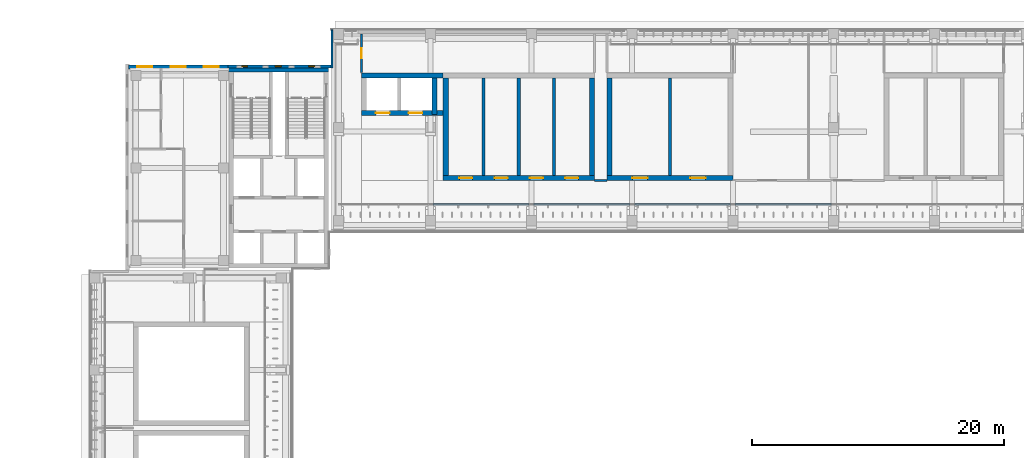
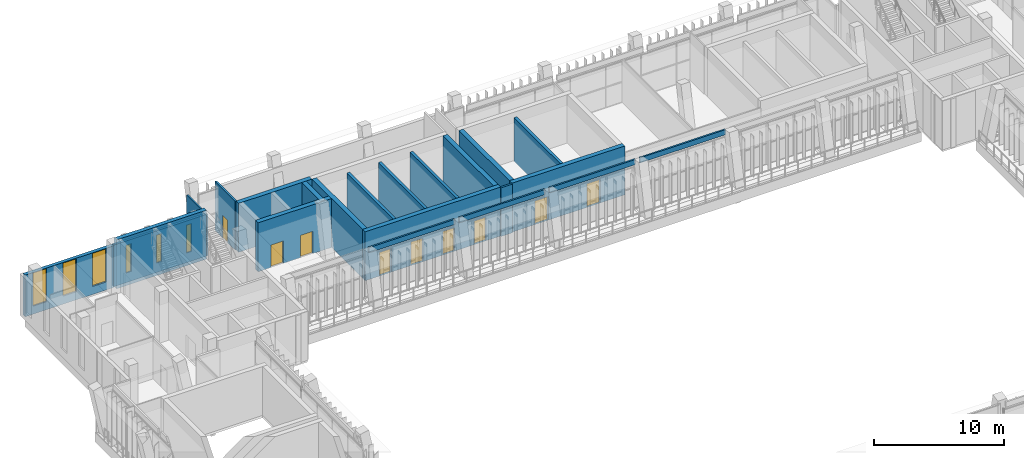
# One storey, part 64 of 89: 22 walls, 9 doors, 6 windows, 15 openings.
"""IFC4 building model written with IfcOpenShell, lengths in metres."""

from ifc_helpers import new_model, si_unit, direction, frame, frame_2d, origin, place, context, subcontext, project, spatial, rectangle, extrude, material, layer, layer_set, type_object, element, fill, save


model = new_model("IFC4")

# Units and contexts
model_context = context("Model", 3, precision=1e-05, world=origin(), true_north=direction((0.0, 1.0)))
body_context = subcontext(model_context, "Body", "Model", "MODEL_VIEW")
ifc_project = project(units=[si_unit("LENGTHUNIT", "METRE"), si_unit("AREAUNIT", "SQUARE_METRE"), si_unit("VOLUMEUNIT", "CUBIC_METRE"), si_unit("PLANEANGLEUNIT", "RADIAN"), si_unit("MASSUNIT", "GRAM", prefix="KILO")], contexts=[model_context])

# Site, building, storey
site_placement = place(None, origin())
site = spatial("IfcSite", under=ifc_project, at=site_placement, CompositionType="ELEMENT")
building_placement = place(site_placement, origin())
building = spatial("IfcBuilding", under=site, at=building_placement, Name="Lantern Court Media Centre", CompositionType="ELEMENT")
storey_placement = place(building_placement, frame((0.0, 0.0, 14.39990234375)))
storey = spatial("IfcBuildingStorey", under=building, at=storey_placement, Name="L03", CompositionType="ELEMENT", Elevation=14.39990234375)

# Walls
ifc_material_1 = material(Name="Acoustic gypsum board")
ifc_layer_1 = layer(ifc_material_1, 0.25)
ifc_layer_set_1 = layer_set([ifc_layer_1], Name="Acoustic gypsum board")
wall_type_1 = type_object("IfcWallType", Name="Acoustic partition 250", PredefinedType="PARTITIONING", material=ifc_layer_set_1)
for number, where, z_axis, x_axis, name in (
    (1, (36.199951171875, 103.455078125, 0.0), (0.0, 0.0, 1.0), (0.0, 1.0, 0.0), "L03 partition 013"),
    (2, (39.0, 103.455078125, 0.0), (0.0, 0.0, 1.0), (0.0, 1.0, 0.0), "L03 partition 014"),
    (3, (41.800048828125, 103.455078125, 0.0), (0.0, 0.0, 1.0), (0.0, 1.0, 0.0), "L03 partition 015"),
    (4, (51.0, 103.455078125, 0.0), (0.0, 0.0, 1.0), (0.0, 1.0, 0.0), "L03 partition 017"),
):
    element("IfcWall", number, at=place(storey_placement, frame(where, z_axis=z_axis, x_axis=x_axis)), inside=storey, type_object=wall_type_1, Name=name, PredefinedType="PARTITIONING", context=body_context, shape_type="SweptSolid", body=[
        extrude(rectangle(XDim=7.739990234375, YDim=0.25, at=frame_2d((3.8701171875, 0.0))), origin(), (0.0, 0.0, 1.0), 4.080078125),
    ])
ifc_material_2 = material(Name="Insulated rendered blockwork", Category="masonry")
ifc_layer_2 = layer(ifc_material_2, 0.14990234375)
ifc_layer_set_2 = layer_set([ifc_layer_2], Name="Insulated rendered blockwork")
wall_type_2 = type_object("IfcWallType", Name="Head infill wall 150", PredefinedType="SOLIDWALL", material=ifc_layer_set_2)
for number, where, z_axis, x_axis, name in (
    (5, (32.199951171875, 101.14990234375, 4.10009765625), (0.0, 0.0, 1.0), (1.0, 0.0, 0.0), "Head infill wall N inner L03"),
    (6, (40.199951171875, 101.14990234375, 4.10009765625), (0.0, 0.0, 1.0), (1.0, 0.0, 0.0), "Head infill wall N inner L03"),
    (7, (48.199951171875, 101.14990234375, 4.10009765625), (0.0, 0.0, 1.0), (1.0, 0.0, 0.0), "Head infill wall N inner L03"),
    (8, (56.199951171875, 101.14990234375, 4.10009765625), (0.0, 0.0, 1.0), (1.0, 0.0, 0.0), "Head infill wall N inner L03"),
):
    element("IfcWall", number, at=place(storey_placement, frame(where, z_axis=z_axis, x_axis=x_axis)), inside=storey, type_object=wall_type_2, Name=name, PredefinedType="SOLIDWALL", context=body_context, shape_type="SweptSolid", body=[
        extrude(rectangle(XDim=7.60009765625, YDim=0.14990234375, at=frame_2d((3.800048828125, 0.0))), origin(), (0.0, 0.0, 1.0), 0.47998046875),
    ])

# Wall, openings, windows
ifc_material_3 = material(Name="Honed limestone cladding on blockwork", Category="masonry")
ifc_layer_3 = layer(ifc_material_3, 0.300048828125)
ifc_layer_set_3 = layer_set([ifc_layer_3], Name="Honed limestone cladding on blockwork")
wall_type_3 = type_object("IfcWallType", Name="Limestone block wall 300", PredefinedType="SOLIDWALL", material=ifc_layer_set_3)
wall_1_placement = place(storey_placement, frame((8.0, 112.070068359375, 0.0), z_axis=(0.0, 0.0, 1.0), x_axis=(1.0, 0.0, 0.0)))
wall_1 = element("IfcWall", 9, at=wall_1_placement, inside=storey, type_object=wall_type_3, Name="Limestone wall NW N L03", PredefinedType="SOLIDWALL", context=body_context, shape_type="SweptSolid", body=[
    extrude(rectangle(XDim=7.89990234375, YDim=0.300048828125, at=frame_2d((3.949951171875, 0.0))), origin(), (0.0, 0.0, 1.0), 3.900146484375),
])
opening_1_placement = place(wall_1_placement, frame((0.716552734375, 0.0, 0.75)))
opening_1 = element("IfcOpeningElement", 10, at=opening_1_placement, cuts=wall_1, Name="Opening WN-T", PredefinedType="OPENING", context=body_context, shape_type="SweptSolid", body=[
    extrude(rectangle(XDim=1.199951171875, YDim=3.10009765625, at=frame_2d((0.60009765625, 1.550048828125))), frame((0.0, 0.159912109375, 0.0), z_axis=(0.0, -1.0, 0.0), x_axis=(1.0, 0.0, 0.0)), (0.0, 0.0, 1.0), 0.320068359375),
])
opening_2_placement = place(wall_1_placement, frame((3.35009765625, 0.0, 0.75)))
opening_2 = element("IfcOpeningElement", 11, at=opening_2_placement, cuts=wall_1, Name="Opening WN-T", PredefinedType="OPENING", context=body_context, shape_type="SweptSolid", body=[
    extrude(rectangle(XDim=1.199951171875, YDim=3.10009765625, at=frame_2d((0.60009765625, 1.550048828125))), frame((0.0, 0.159912109375, 0.0), z_axis=(0.0, -1.0, 0.0), x_axis=(1.0, 0.0, 0.0)), (0.0, 0.0, 1.0), 0.320068359375),
])
opening_3_placement = place(wall_1_placement, frame((5.9833984375, 0.0, 0.75)))
opening_3 = element("IfcOpeningElement", 12, at=opening_3_placement, cuts=wall_1, Name="Opening WN-T", PredefinedType="OPENING", context=body_context, shape_type="SweptSolid", body=[
    extrude(rectangle(XDim=1.199951171875, YDim=3.10009765625, at=frame_2d((0.60009765625, 1.550048828125))), frame((0.0, 0.159912109375, 0.0), z_axis=(0.0, -1.0, 0.0), x_axis=(1.0, 0.0, 0.0)), (0.0, 0.0, 1.0), 0.320068359375),
])
ifc_material_4 = material(Name="Anodised aluminium and glass", Category="aluminium")
window_type_1 = type_object("IfcWindowType", Name="Tall window 1200x3100", PartitioningType="SINGLE_PANEL", PredefinedType="WINDOW", material=ifc_material_4)
window_1_placement = place(opening_1_placement, origin())
window_1 = element("IfcWindow", 13, at=window_1_placement, inside=storey, type_object=window_type_1, Name="Window NW N L03", OverallHeight=3.10009765625, OverallWidth=1.199951171875, PartitioningType="SINGLE_PANEL", PredefinedType="WINDOW", context=body_context, shape_type="SweptSolid", body=[
    extrude(rectangle(XDim=1.199951171875, YDim=3.10009765625, at=frame_2d((0.60009765625, 1.550048828125))), frame((0.0, 0.030029296875, 0.0), z_axis=(0.0, -1.0, 0.0), x_axis=(1.0, 0.0, 0.0)), (0.0, 0.0, 1.0), 0.06005859375),
])
fill(opening_1, window_1)
window_2_placement = place(opening_2_placement, origin())
window_2 = element("IfcWindow", 14, at=window_2_placement, inside=storey, type_object=window_type_1, Name="Window NW N L03", OverallHeight=3.10009765625, OverallWidth=1.199951171875, PartitioningType="SINGLE_PANEL", PredefinedType="WINDOW", context=body_context, shape_type="SweptSolid", body=[
    extrude(rectangle(XDim=1.199951171875, YDim=3.10009765625, at=frame_2d((0.60009765625, 1.550048828125))), frame((0.0, 0.030029296875, 0.0), z_axis=(0.0, -1.0, 0.0), x_axis=(1.0, 0.0, 0.0)), (0.0, 0.0, 1.0), 0.06005859375),
])
fill(opening_2, window_2)
window_3_placement = place(opening_3_placement, origin())
window_3 = element("IfcWindow", 15, at=window_3_placement, inside=storey, type_object=window_type_1, Name="Window NW N L03", OverallHeight=3.10009765625, OverallWidth=1.199951171875, PartitioningType="SINGLE_PANEL", PredefinedType="WINDOW", context=body_context, shape_type="SweptSolid", body=[
    extrude(rectangle(XDim=1.199951171875, YDim=3.10009765625, at=frame_2d((0.60009765625, 1.550048828125))), frame((0.0, 0.030029296875, 0.0), z_axis=(0.0, -1.0, 0.0), x_axis=(1.0, 0.0, 0.0)), (0.0, 0.0, 1.0), 0.06005859375),
])
fill(opening_3, window_3)

# Wall
ifc_layer_4 = layer(ifc_material_3, 0.139892578125)
ifc_layer_set_4 = layer_set([ifc_layer_4], Name="Honed limestone cladding on blockwork")
wall_type_4 = type_object("IfcWallType", Name="Limestone closure wall 140", PredefinedType="SOLIDWALL", material=ifc_layer_set_4)
wall_2_placement = place(storey_placement, frame((24.169921875, 112.0, 0.0), z_axis=(0.0, 0.0, 1.0), x_axis=(0.0, 1.0, 0.0)))
element("IfcWall", 16, at=wall_2_placement, inside=storey, type_object=wall_type_4, Name="Limestone closure wall N-NW L03", PredefinedType="SOLIDWALL", context=body_context, shape_type="SweptSolid", body=[
    extrude(rectangle(XDim=3.0, YDim=0.139892578125, at=frame_2d((1.5, 0.0))), origin(), (0.0, 0.0, 1.0), 3.900146484375),
])

# Wall, openings, windows
ifc_material_5 = material(Name="Honed limestone cladding on blockwork, reduced to 220 where it passes the core wall", Category="masonry")
ifc_layer_5 = layer(ifc_material_5, 0.219970703125)
ifc_layer_set_5 = layer_set([ifc_layer_5], Name="Honed limestone cladding on blockwork, reduced to 220 where it passes the core wall")
wall_type_5 = type_object("IfcWallType", Name="Limestone skin wall 220", PredefinedType="SOLIDWALL", material=ifc_layer_set_5)
wall_3_placement = place(storey_placement, frame((15.89990234375, 112.110107421875, 0.0), z_axis=(0.0, 0.0, 1.0), x_axis=(1.0, 0.0, 0.0)))
wall_3 = element("IfcWall", 17, at=wall_3_placement, inside=storey, type_object=wall_type_5, Name="Limestone wall NW N L03", PredefinedType="SOLIDWALL", context=body_context, shape_type="SweptSolid", body=[
    extrude(rectangle(XDim=8.2001953125, YDim=0.219970703125, at=frame_2d((4.10009765625, 0.0))), origin(), (0.0, 0.0, 1.0), 3.900146484375),
])
opening_4_placement = place(wall_3_placement, frame((1.1083984375, 0.0, 0.89990234375)))
opening_4 = element("IfcOpeningElement", 18, at=opening_4_placement, cuts=wall_3, Name="Opening WN-S", PredefinedType="OPENING", context=body_context, shape_type="SweptSolid", body=[
    extrude(rectangle(XDim=0.449951171875, YDim=2.60009765625, at=frame_2d((0.22509765625, 1.300048828125))), frame((0.0, 0.119873046875, 0.0), z_axis=(0.0, -1.0, 0.0), x_axis=(1.0, 0.0, 0.0)), (0.0, 0.0, 1.0), 0.239990234375),
])
opening_5_placement = place(wall_3_placement, frame((3.77490234375, 0.0, 0.89990234375)))
opening_5 = element("IfcOpeningElement", 19, at=opening_5_placement, cuts=wall_3, Name="Opening WN-S", PredefinedType="OPENING", context=body_context, shape_type="SweptSolid", body=[
    extrude(rectangle(XDim=0.449951171875, YDim=2.60009765625, at=frame_2d((0.22509765625, 1.300048828125))), frame((0.0, 0.119873046875, 0.0), z_axis=(0.0, -1.0, 0.0), x_axis=(1.0, 0.0, 0.0)), (0.0, 0.0, 1.0), 0.239990234375),
])
opening_6_placement = place(wall_3_placement, frame((6.441650390625, 0.0, 0.89990234375)))
opening_6 = element("IfcOpeningElement", 20, at=opening_6_placement, cuts=wall_3, Name="Opening WN-S", PredefinedType="OPENING", context=body_context, shape_type="SweptSolid", body=[
    extrude(rectangle(XDim=0.449951171875, YDim=2.60009765625, at=frame_2d((0.22509765625, 1.300048828125))), frame((0.0, 0.119873046875, 0.0), z_axis=(0.0, -1.0, 0.0), x_axis=(1.0, 0.0, 0.0)), (0.0, 0.0, 1.0), 0.239990234375),
])
window_type_2 = type_object("IfcWindowType", Name="Stair slit window 450x2600", PartitioningType="SINGLE_PANEL", PredefinedType="WINDOW", material=ifc_material_4)
window_4_placement = place(opening_4_placement, origin())
window_4 = element("IfcWindow", 21, at=window_4_placement, inside=storey, type_object=window_type_2, Name="Window NW N L03", OverallHeight=2.60009765625, OverallWidth=0.449951171875, PartitioningType="SINGLE_PANEL", PredefinedType="WINDOW", context=body_context, shape_type="SweptSolid", body=[
    extrude(rectangle(XDim=0.449951171875, YDim=2.60009765625, at=frame_2d((0.22509765625, 1.300048828125))), frame((0.0, 0.030029296875, 0.0), z_axis=(0.0, -1.0, 0.0), x_axis=(1.0, 0.0, 0.0)), (0.0, 0.0, 1.0), 0.06005859375),
])
fill(opening_4, window_4)
window_5_placement = place(opening_5_placement, origin())
window_5 = element("IfcWindow", 22, at=window_5_placement, inside=storey, type_object=window_type_2, Name="Window NW N L03", OverallHeight=2.60009765625, OverallWidth=0.449951171875, PartitioningType="SINGLE_PANEL", PredefinedType="WINDOW", context=body_context, shape_type="SweptSolid", body=[
    extrude(rectangle(XDim=0.449951171875, YDim=2.60009765625, at=frame_2d((0.22509765625, 1.300048828125))), frame((0.0, 0.030029296875, 0.0), z_axis=(0.0, -1.0, 0.0), x_axis=(1.0, 0.0, 0.0)), (0.0, 0.0, 1.0), 0.06005859375),
])
fill(opening_5, window_5)
window_6_placement = place(opening_6_placement, origin())
window_6 = element("IfcWindow", 23, at=window_6_placement, inside=storey, type_object=window_type_2, Name="Window NW N L03", OverallHeight=2.60009765625, OverallWidth=0.449951171875, PartitioningType="SINGLE_PANEL", PredefinedType="WINDOW", context=body_context, shape_type="SweptSolid", body=[
    extrude(rectangle(XDim=0.449951171875, YDim=2.60009765625, at=frame_2d((0.22509765625, 1.300048828125))), frame((0.0, 0.030029296875, 0.0), z_axis=(0.0, -1.0, 0.0), x_axis=(1.0, 0.0, 0.0)), (0.0, 0.0, 1.0), 0.06005859375),
])
fill(opening_6, window_6)

# Wall
ifc_material_6 = material(Name="Concrete C40", Category="concrete")
ifc_layer_6 = layer(ifc_material_6, 0.35009765625)
ifc_layer_set_6 = layer_set([ifc_layer_6], Name="Concrete C40")
wall_type_6 = type_object("IfcWallType", Name="RC CORE WALL 350", PredefinedType="SHEAR", material=ifc_layer_set_6)
wall_4_placement = place(storey_placement, frame((15.949951171875, 111.824951171875, 0.0), z_axis=(0.0, 0.0, 1.0), x_axis=(1.0, 0.0, 0.0)))
element("IfcWall", 24, at=wall_4_placement, inside=storey, type_object=wall_type_6, Name="WC-NW-L03-N", PredefinedType="SHEAR", context=body_context, shape_type="SweptSolid", body=[
    extrude(rectangle(XDim=7.949951171875, YDim=0.35009765625, at=frame_2d((3.97509765625, 0.0))), origin(), (0.0, 0.0, 1.0), 4.580078125),
])

# Wall, openings, doors
ifc_layer_7 = layer(ifc_material_6, 0.39990234375)
ifc_layer_set_7 = layer_set([ifc_layer_7], Name="Concrete C40")
wall_type_7 = type_object("IfcWallType", Name="RC SHEAR WALL 400", PredefinedType="SHEAR", material=ifc_layer_set_7)
wall_5_placement = place(storey_placement, frame((26.5, 108.39990234375, 0.0), z_axis=(0.0, 0.0, 1.0), x_axis=(1.0, 0.0, 0.0)))
wall_5 = element("IfcWall", 25, at=wall_5_placement, inside=storey, type_object=wall_type_7, Name="WB-N-LC-L03-S", PredefinedType="SHEAR", context=body_context, shape_type="SweptSolid", body=[
    extrude(rectangle(XDim=6.5, YDim=0.39990234375, at=frame_2d((3.25, 0.0))), origin(), (0.0, 0.0, 1.0), 4.580078125),
])
opening_7_placement = place(wall_5_placement, frame((1.14990234375, 0.0, 0.0)))
opening_7 = element("IfcOpeningElement", 26, at=opening_7_placement, cuts=wall_5, Name="Opening LD-N-LCP-L03", PredefinedType="OPENING", context=body_context, shape_type="SweptSolid", body=[
    extrude(rectangle(XDim=1.10009765625, YDim=2.10009765625, at=frame_2d((0.550048828125, 1.050048828125))), frame((0.0, 0.2099609375, 0.0), z_axis=(0.0, -1.0, 0.0), x_axis=(1.0, 0.0, 0.0)), (0.0, 0.0, 1.0), 0.419921875),
])
opening_8_placement = place(wall_5_placement, frame((3.75, 0.0, 0.0)))
opening_8 = element("IfcOpeningElement", 27, at=opening_8_placement, cuts=wall_5, Name="Opening LD-N-LCS-L03", PredefinedType="OPENING", context=body_context, shape_type="SweptSolid", body=[
    extrude(rectangle(XDim=1.10009765625, YDim=2.10009765625, at=frame_2d((0.550048828125, 1.050048828125))), frame((0.0, 0.2099609375, 0.0), z_axis=(0.0, -1.0, 0.0), x_axis=(1.0, 0.0, 0.0)), (0.0, 0.0, 1.0), 0.419921875),
])
ifc_material_7 = material(Name="Steel door leaf", Category="steel")
door_type_1 = type_object("IfcDoorType", Name="Lift landing door 1100x2100", OperationType="DOUBLE_DOOR_SLIDING", PredefinedType="DOOR", material=ifc_material_7)
door_1_placement = place(opening_7_placement, frame((1.10009765625, 0.0, 0.0), z_axis=(0.0, 0.0, 1.0), x_axis=(-1.0, 0.0, 0.0)))
door_1 = element("IfcDoor", 28, at=door_1_placement, inside=storey, type_object=door_type_1, Name="L03 N-LC passenger lift landing door", OperationType="DOUBLE_DOOR_SLIDING", OverallHeight=2.10009765625, OverallWidth=1.10009765625, PredefinedType="DOOR", context=body_context, shape_type="SweptSolid", body=[
    extrude(rectangle(XDim=1.10009765625, YDim=2.10009765625, at=frame_2d((0.550048828125, 1.050048828125))), frame((0.0, 0.02490234375, 0.0), z_axis=(0.0, -1.0, 0.0), x_axis=(1.0, 0.0, 0.0)), (0.0, 0.0, 1.0), 0.050048828125),
])
fill(opening_7, door_1)
door_2_placement = place(opening_8_placement, frame((1.10009765625, 0.0, 0.0), z_axis=(0.0, 0.0, 1.0), x_axis=(-1.0, 0.0, 0.0)))
door_2 = element("IfcDoor", 29, at=door_2_placement, inside=storey, type_object=door_type_1, Name="L03 N-LC service lift landing door", OperationType="DOUBLE_DOOR_SLIDING", OverallHeight=2.10009765625, OverallWidth=1.10009765625, PredefinedType="DOOR", context=body_context, shape_type="SweptSolid", body=[
    extrude(rectangle(XDim=1.10009765625, YDim=2.10009765625, at=frame_2d((0.550048828125, 1.050048828125))), frame((0.0, 0.02490234375, 0.0), z_axis=(0.0, -1.0, 0.0), x_axis=(1.0, 0.0, 0.0)), (0.0, 0.0, 1.0), 0.050048828125),
])
fill(opening_8, door_2)

# Walls
wall_6_placement = place(storey_placement, frame((26.5, 111.39990234375, 0.0), z_axis=(0.0, 0.0, 1.0), x_axis=(1.0, 0.0, 0.0)))
element("IfcWall", 30, at=wall_6_placement, inside=storey, type_object=wall_type_7, Name="WB-N-LC-L03-N", PredefinedType="SHEAR", context=body_context, shape_type="SweptSolid", body=[
    extrude(rectangle(XDim=6.5, YDim=0.39990234375, at=frame_2d((3.25, 0.0))), origin(), (0.0, 0.0, 1.0), 4.580078125),
])
wall_7_placement = place(storey_placement, frame((32.300048828125, 108.291748046875, 0.0), z_axis=(0.0, 0.0, 1.0), x_axis=(0.0, 1.0, 0.0)))
element("IfcWall", 31, at=wall_7_placement, inside=storey, type_object=wall_type_7, Name="WB-N-LC-L03-E", PredefinedType="SHEAR", context=body_context, shape_type="SweptSolid", body=[
    extrude(rectangle(XDim=2.908203125, YDim=0.39990234375, at=frame_2d((1.4541015625, 0.0))), origin(), (0.0, 0.0, 1.0), 4.580078125),
])

# Wall, openings, doors
wall_8_placement = place(storey_placement, frame((33.0, 103.25, 0.0), z_axis=(0.0, 0.0, 1.0), x_axis=(1.0, 0.0, 0.0)))
wall_8 = element("IfcWall", 32, at=wall_8_placement, inside=storey, type_object=wall_type_7, Name="WB-N-EDA-L03-S", PredefinedType="SHEAR", context=body_context, shape_type="SweptSolid", body=[
    extrude(rectangle(XDim=12.0, YDim=0.39990234375, at=frame_2d((6.0, 0.0))), origin(), (0.0, 0.0, 1.0), 4.580078125),
])
opening_9_placement = place(wall_8_placement, frame((1.272705078125, 0.0, 0.0)))
opening_9 = element("IfcOpeningElement", 33, at=opening_9_placement, cuts=wall_8, Name="Opening L03-008", PredefinedType="OPENING", context=body_context, shape_type="SweptSolid", body=[
    extrude(rectangle(XDim=1.050048828125, YDim=2.199951171875, at=frame_2d((0.52490234375, 1.10009765625))), frame((0.0, 0.2099609375, 0.0), z_axis=(0.0, -1.0, 0.0), x_axis=(1.0, 0.0, 0.0)), (0.0, 0.0, 1.0), 0.419921875),
])
opening_10_placement = place(wall_8_placement, frame((4.07275390625, 0.0, 0.0)))
opening_10 = element("IfcOpeningElement", 34, at=opening_10_placement, cuts=wall_8, Name="Opening L03-009", PredefinedType="OPENING", context=body_context, shape_type="SweptSolid", body=[
    extrude(rectangle(XDim=1.050048828125, YDim=2.199951171875, at=frame_2d((0.52490234375, 1.10009765625))), frame((0.0, 0.2099609375, 0.0), z_axis=(0.0, -1.0, 0.0), x_axis=(1.0, 0.0, 0.0)), (0.0, 0.0, 1.0), 0.419921875),
])
opening_11_placement = place(wall_8_placement, frame((6.872802734375, 0.0, 0.0)))
opening_11 = element("IfcOpeningElement", 35, at=opening_11_placement, cuts=wall_8, Name="Opening L03-010", PredefinedType="OPENING", context=body_context, shape_type="SweptSolid", body=[
    extrude(rectangle(XDim=1.050048828125, YDim=2.199951171875, at=frame_2d((0.52490234375, 1.10009765625))), frame((0.0, 0.2099609375, 0.0), z_axis=(0.0, -1.0, 0.0), x_axis=(1.0, 0.0, 0.0)), (0.0, 0.0, 1.0), 0.419921875),
])
opening_12_placement = place(wall_8_placement, frame((9.672607421875, 0.0, 0.0)))
opening_12 = element("IfcOpeningElement", 36, at=opening_12_placement, cuts=wall_8, Name="Opening L03-011", PredefinedType="OPENING", context=body_context, shape_type="SweptSolid", body=[
    extrude(rectangle(XDim=1.050048828125, YDim=2.199951171875, at=frame_2d((0.52490234375, 1.10009765625))), frame((0.0, 0.2099609375, 0.0), z_axis=(0.0, -1.0, 0.0), x_axis=(1.0, 0.0, 0.0)), (0.0, 0.0, 1.0), 0.419921875),
])
ifc_material_8 = material(Name="Acoustic timber door leaf", Category="wood")
door_type_2 = type_object("IfcDoorType", Name="Edit suite sound-lock door 1050x2200", OperationType="NOTDEFINED", PredefinedType="DOOR", material=ifc_material_8)
door_3_placement = place(opening_9_placement, origin())
door_3 = element("IfcDoor", 37, at=door_3_placement, inside=storey, type_object=door_type_2, Name="L03 Editing Suite 15 door", OperationType="SINGLE_SWING_LEFT", OverallHeight=2.199951171875, OverallWidth=1.050048828125, PredefinedType="DOOR", context=body_context, shape_type="SweptSolid", body=[
    extrude(rectangle(XDim=1.050048828125, YDim=2.199951171875, at=frame_2d((0.52490234375, 1.10009765625))), frame((0.0, 0.02490234375, 0.0), z_axis=(0.0, -1.0, 0.0), x_axis=(1.0, 0.0, 0.0)), (0.0, 0.0, 1.0), 0.050048828125),
])
fill(opening_9, door_3)
door_4_placement = place(opening_10_placement, origin())
door_4 = element("IfcDoor", 38, at=door_4_placement, inside=storey, type_object=door_type_2, Name="L03 Editing Suite 16 door", OperationType="SINGLE_SWING_RIGHT", OverallHeight=2.199951171875, OverallWidth=1.050048828125, PredefinedType="DOOR", context=body_context, shape_type="SweptSolid", body=[
    extrude(rectangle(XDim=1.050048828125, YDim=2.199951171875, at=frame_2d((0.52490234375, 1.10009765625))), frame((0.0, 0.02490234375, 0.0), z_axis=(0.0, -1.0, 0.0), x_axis=(1.0, 0.0, 0.0)), (0.0, 0.0, 1.0), 0.050048828125),
])
fill(opening_10, door_4)
door_5_placement = place(opening_11_placement, origin())
door_5 = element("IfcDoor", 39, at=door_5_placement, inside=storey, type_object=door_type_2, Name="L03 Editing Suite 17 door", OperationType="SINGLE_SWING_LEFT", OverallHeight=2.199951171875, OverallWidth=1.050048828125, PredefinedType="DOOR", context=body_context, shape_type="SweptSolid", body=[
    extrude(rectangle(XDim=1.050048828125, YDim=2.199951171875, at=frame_2d((0.52490234375, 1.10009765625))), frame((0.0, 0.02490234375, 0.0), z_axis=(0.0, -1.0, 0.0), x_axis=(1.0, 0.0, 0.0)), (0.0, 0.0, 1.0), 0.050048828125),
])
fill(opening_11, door_5)
door_6_placement = place(opening_12_placement, origin())
door_6 = element("IfcDoor", 40, at=door_6_placement, inside=storey, type_object=door_type_2, Name="L03 Editing Suite 18 door", OperationType="SINGLE_SWING_RIGHT", OverallHeight=2.199951171875, OverallWidth=1.050048828125, PredefinedType="DOOR", context=body_context, shape_type="SweptSolid", body=[
    extrude(rectangle(XDim=1.050048828125, YDim=2.199951171875, at=frame_2d((0.52490234375, 1.10009765625))), frame((0.0, 0.02490234375, 0.0), z_axis=(0.0, -1.0, 0.0), x_axis=(1.0, 0.0, 0.0)), (0.0, 0.0, 1.0), 0.050048828125),
])
fill(opening_12, door_6)

# Walls
for number, where, z_axis, x_axis, name in (
    (41, (33.199951171875, 103.449951171875, 0.0), (0.0, 0.0, 1.0), (0.0, 1.0, 0.0), "WB-N-EDA-L03-W"),
    (42, (44.800048828125, 103.449951171875, 0.0), (0.0, 0.0, 1.0), (0.0, 1.0, 0.0), "WB-N-EDA-L03-E"),
):
    element("IfcWall", number, at=place(storey_placement, frame(where, z_axis=z_axis, x_axis=x_axis)), inside=storey, type_object=wall_type_7, Name=name, PredefinedType="SHEAR", context=body_context, shape_type="SweptSolid", body=[
        extrude(rectangle(XDim=7.75, YDim=0.39990234375, at=frame_2d((3.875, 0.0))), origin(), (0.0, 0.0, 1.0), 4.580078125),
    ])

# Wall, openings, doors
wall_9_placement = place(storey_placement, frame((46.0, 103.25, 0.0), z_axis=(0.0, 0.0, 1.0), x_axis=(1.0, 0.0, 0.0)))
wall_9 = element("IfcWall", 43, at=wall_9_placement, inside=storey, type_object=wall_type_7, Name="WB-N-MIX-L03-S", PredefinedType="SHEAR", context=body_context, shape_type="SweptSolid", body=[
    extrude(rectangle(XDim=10.0, YDim=0.39990234375, at=frame_2d((5.0, 0.0))), origin(), (0.0, 0.0, 1.0), 4.580078125),
])
opening_13_placement = place(wall_9_placement, frame((2.02490234375, 0.0, 0.0)))
opening_13 = element("IfcOpeningElement", 44, at=opening_13_placement, cuts=wall_9, Name="Opening L03-012", PredefinedType="OPENING", context=body_context, shape_type="SweptSolid", body=[
    extrude(rectangle(XDim=1.199951171875, YDim=2.199951171875, at=frame_2d((0.60009765625, 1.10009765625))), frame((0.0, 0.2099609375, 0.0), z_axis=(0.0, -1.0, 0.0), x_axis=(1.0, 0.0, 0.0)), (0.0, 0.0, 1.0), 0.419921875),
])
opening_14_placement = place(wall_9_placement, frame((6.625, 0.0, 0.0)))
opening_14 = element("IfcOpeningElement", 45, at=opening_14_placement, cuts=wall_9, Name="Opening L03-013", PredefinedType="OPENING", context=body_context, shape_type="SweptSolid", body=[
    extrude(rectangle(XDim=1.199951171875, YDim=2.199951171875, at=frame_2d((0.60009765625, 1.10009765625))), frame((0.0, 0.2099609375, 0.0), z_axis=(0.0, -1.0, 0.0), x_axis=(1.0, 0.0, 0.0)), (0.0, 0.0, 1.0), 0.419921875),
])
door_type_3 = type_object("IfcDoorType", Name="Edit suite sound-lock door 1200x2200", OperationType="NOTDEFINED", PredefinedType="DOOR", material=ifc_material_8)
door_7_placement = place(opening_13_placement, origin())
door_7 = element("IfcDoor", 46, at=door_7_placement, inside=storey, type_object=door_type_3, Name="L03 Sound Mixing Suite 03 door", OperationType="SINGLE_SWING_LEFT", OverallHeight=2.199951171875, OverallWidth=1.199951171875, PredefinedType="DOOR", context=body_context, shape_type="SweptSolid", body=[
    extrude(rectangle(XDim=1.199951171875, YDim=2.199951171875, at=frame_2d((0.60009765625, 1.10009765625))), frame((0.0, 0.02490234375, 0.0), z_axis=(0.0, -1.0, 0.0), x_axis=(1.0, 0.0, 0.0)), (0.0, 0.0, 1.0), 0.050048828125),
])
fill(opening_13, door_7)
door_8_placement = place(opening_14_placement, origin())
door_8 = element("IfcDoor", 47, at=door_8_placement, inside=storey, type_object=door_type_3, Name="L03 Colour Grading Suite 03 door", OperationType="SINGLE_SWING_RIGHT", OverallHeight=2.199951171875, OverallWidth=1.199951171875, PredefinedType="DOOR", context=body_context, shape_type="SweptSolid", body=[
    extrude(rectangle(XDim=1.199951171875, YDim=2.199951171875, at=frame_2d((0.60009765625, 1.10009765625))), frame((0.0, 0.02490234375, 0.0), z_axis=(0.0, -1.0, 0.0), x_axis=(1.0, 0.0, 0.0)), (0.0, 0.0, 1.0), 0.050048828125),
])
fill(opening_14, door_8)

# Wall
wall_10_placement = place(storey_placement, frame((46.199951171875, 103.449951171875, 0.0), z_axis=(0.0, 0.0, 1.0), x_axis=(0.0, 1.0, 0.0)))
element("IfcWall", 48, at=wall_10_placement, inside=storey, type_object=wall_type_7, Name="WB-N-MIX-L03-W", PredefinedType="SHEAR", context=body_context, shape_type="SweptSolid", body=[
    extrude(rectangle(XDim=7.75, YDim=0.39990234375, at=frame_2d((3.875, 0.0))), origin(), (0.0, 0.0, 1.0), 4.580078125),
])

# Wall, opening, door
ifc_material_9 = material(Name="Fire-rated gypsum board")
ifc_layer_8 = layer(ifc_material_9, 0.159912109375)
ifc_layer_set_8 = layer_set([ifc_layer_8], Name="Fire-rated gypsum board")
wall_type_8 = type_object("IfcWallType", Name="Riser shaft liner wall 160", PredefinedType="PARTITIONING", material=ifc_layer_set_8)
wall_11_placement = place(storey_placement, frame((26.5, 111.60498046875, 0.0), z_axis=(0.0, 0.0, 1.0), x_axis=(0.0, 1.0, 0.0)))
wall_11 = element("IfcWall", 49, at=wall_11_placement, inside=storey, type_object=wall_type_8, Name="L03 partition 001", PredefinedType="PARTITIONING", context=body_context, shape_type="SweptSolid", body=[
    extrude(rectangle(XDim=3.090087890625, YDim=0.159912109375, at=frame_2d((1.544921875, 0.0))), origin(), (0.0, 0.0, 1.0), 4.56005859375),
])
opening_15_placement = place(wall_11_placement, frame((1.14501953125, 0.0, 0.0)))
opening_15 = element("IfcOpeningElement", 50, at=opening_15_placement, cuts=wall_11, Name="Opening L03-007", PredefinedType="OPENING", context=body_context, shape_type="SweptSolid", body=[
    extrude(rectangle(XDim=0.800048828125, YDim=2.10009765625, at=frame_2d((0.39990234375, 1.050048828125))), frame((0.0, 0.08984375, 0.0), z_axis=(0.0, -1.0, 0.0), x_axis=(1.0, 0.0, 0.0)), (0.0, 0.0, 1.0), 0.179931640625),
])
door_type_4 = type_object("IfcDoorType", Name="Riser access fire door 800x2100", OperationType="NOTDEFINED", PredefinedType="DOOR", material=ifc_material_7)
door_9_placement = place(opening_15_placement, frame((0.800048828125, 0.0, 0.0), z_axis=(0.0, 0.0, 1.0), x_axis=(-1.0, 0.0, 0.0)))
door_9 = element("IfcDoor", 51, at=door_9_placement, inside=storey, type_object=door_type_4, Name="L03 Services Duct door", OperationType="SINGLE_SWING_RIGHT", OverallHeight=2.10009765625, OverallWidth=0.800048828125, PredefinedType="DOOR", context=body_context, shape_type="SweptSolid", body=[
    extrude(rectangle(XDim=0.800048828125, YDim=2.10009765625, at=frame_2d((0.39990234375, 1.050048828125))), frame((0.0, 0.02490234375, 0.0), z_axis=(0.0, -1.0, 0.0), x_axis=(1.0, 0.0, 0.0)), (0.0, 0.0, 1.0), 0.050048828125),
])
fill(opening_15, door_9)

# Wall
wall_12_placement = place(storey_placement, frame((45.0, 103.050048828125, 0.0), z_axis=(0.0, 0.0, 1.0), x_axis=(1.0, 0.0, 0.0)))
element("IfcWall", 52, at=wall_12_placement, inside=storey, type_object=wall_type_8, Name="L03 partition 024", PredefinedType="PARTITIONING", context=body_context, shape_type="SweptSolid", body=[
    extrude(rectangle(XDim=1.0, YDim=0.159912109375, at=frame_2d((0.5, 0.0))), origin(), (0.0, 0.0, 1.0), 4.56005859375),
])

save(model, "model.ifc")
